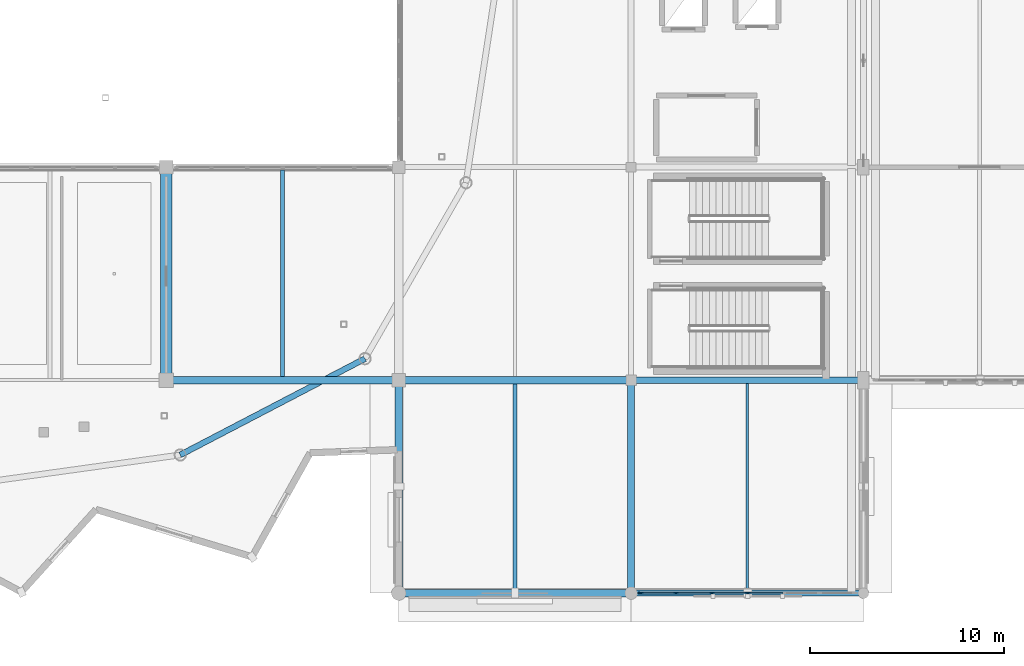
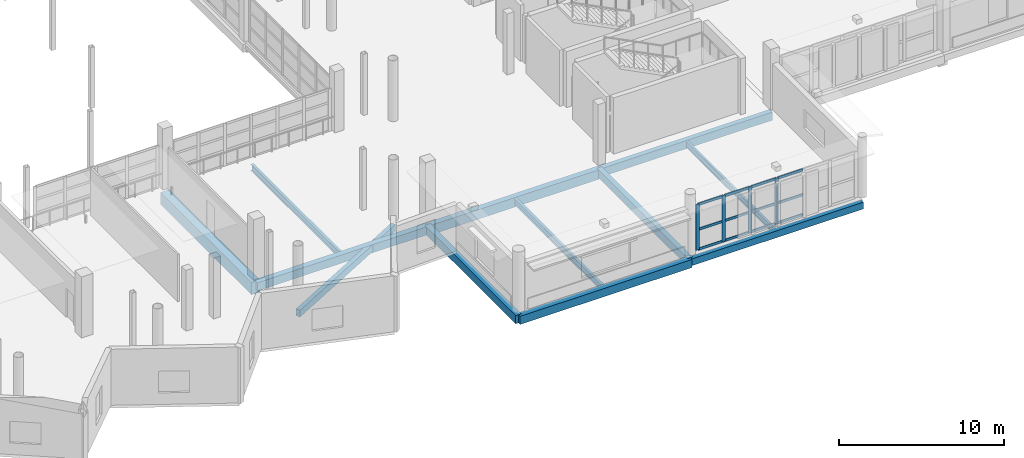
# One storey, part 50 of 118: 16 members, 12 beams, 1 element without a shape of its own.
"""IFC4 building model written with IfcOpenShell, lengths in metres."""

from ifc_helpers import new_model, si_unit, direction, frame, origin, origin_2d, place, context, subcontext, project, spatial, rectangle, hollow_rectangle, i_section, extrude, material, material_profile, profile_set, type_object, element, aggregate, save


model = new_model("IFC4")

# Units and contexts
model_context = context("Model", 3, precision=1e-05, world=origin(), true_north=direction((0.0, 1.0)))
body_context = subcontext(model_context, "Body", "Model", "MODEL_VIEW")
ifc_project = project(units=[si_unit("LENGTHUNIT", "METRE"), si_unit("AREAUNIT", "SQUARE_METRE"), si_unit("VOLUMEUNIT", "CUBIC_METRE"), si_unit("PLANEANGLEUNIT", "RADIAN"), si_unit("MASSUNIT", "GRAM", prefix="KILO")], contexts=[model_context])

# Site, building, storey
site_placement = place(None, origin())
site = spatial("IfcSite", under=ifc_project, at=site_placement, CompositionType="ELEMENT")
building_placement = place(site_placement, origin())
building = spatial("IfcBuilding", under=site, at=building_placement, Name="Luwafu Chhajja Arena", CompositionType="ELEMENT")
storey_placement = place(building_placement, frame((0.0, 0.0, 10.199951171875)))
storey = spatial("IfcBuildingStorey", under=building, at=storey_placement, Name="L02", CompositionType="ELEMENT", Elevation=10.199951171875)

# Beams
ifc_material_1 = material(Name="Concrete C35/45", Category="concrete")
ifc_material_profile_1 = material_profile(ifc_material_1, rectangle(XDim=0.35009765625, YDim=0.60009765625, at=origin_2d()), Name="RC 350x600")
ifc_profile_set_1 = profile_set([ifc_material_profile_1], Name="Concrete C35/45")
beam_type_1 = type_object("IfcBeamType", Name="Arcade Tie Beam RC 350x600", PredefinedType="BEAM", material=ifc_profile_set_1)
beam_1_placement = place(storey_placement, frame((152.0, 11.0, -0.68994140625), z_axis=(1.0, 0.0, 0.0), x_axis=(0.0, 1.0, 0.0)))
element("IfcBeam", 1, at=beam_1_placement, inside=storey, type_object=beam_type_1, Name="L02 Grid Beam 14-15/B", PredefinedType="BEAM", context=body_context, shape_type="SweptSolid", body=[
    extrude(rectangle(XDim=0.35009765625, YDim=0.60009765625, at=origin_2d()), origin(), (0.0, 0.0, 1.0), 12.0),
])
beam_2_placement = place(storey_placement, frame((152.0, 0.0, -0.68994140625), z_axis=(0.0, 1.0, 0.0), x_axis=(-1.0, 0.0, 0.0)))
element("IfcBeam", 2, at=beam_2_placement, inside=storey, type_object=beam_type_1, Name="L02 Grid Beam 14/A-B", PredefinedType="BEAM", context=body_context, shape_type="SweptSolid", body=[
    extrude(rectangle(XDim=0.35009765625, YDim=0.60009765625, at=origin_2d()), origin(), (0.0, 0.0, 1.0), 11.0),
])

# Curtain wall, members
ifc_material_2 = material(Name="Anodised bronze aluminium", Category="aluminium")
curtain_wall_type = type_object("IfcCurtainWallType", Name="Media Ribbon Curtain Wall", PredefinedType="USERDEFINED", material=ifc_material_2)
curtain_wall_placement = place(storey_placement, origin())
curtain_wall = element("IfcCurtainWall", 3, at=curtain_wall_placement, inside=storey, type_object=curtain_wall_type, Name="L02 Curtain Wall CWG-L02-H13_00", ObjectType="CURTAIN WALL", PredefinedType="USERDEFINED")
ifc_material_profile_2 = material_profile(ifc_material_2, rectangle(XDim=0.070068359375, YDim=0.239990234375, at=origin_2d()), Name="CWM 70x240")
ifc_profile_set_2 = profile_set([ifc_material_profile_2], Name="Anodised bronze aluminium")
member_type_1 = type_object("IfcMemberType", Name="Bronze Curtain Wall Mullion 70x240", PredefinedType="MULLION", material=ifc_profile_set_2)
member_1_placement = place(storey_placement, frame((152.5, 0.0, 0.030029296875), z_axis=(0.0, 0.0, 1.0), x_axis=(0.0, 1.0, 0.0)))
member_1 = element("IfcMember", 4, at=member_1_placement, type_object=member_type_1, Name="CW-03 mullion 1", PredefinedType="MULLION", context=body_context, shape_type="SweptSolid", body=[
    extrude(rectangle(XDim=0.070068359375, YDim=0.239990234375, at=origin_2d()), origin(), (0.0, 0.0, 1.0), 3.375),
])
member_2_placement = place(storey_placement, frame((154.318359375, 0.0, 0.030029296875), z_axis=(0.0, 0.0, 1.0), x_axis=(0.0, 1.0, 0.0)))
member_2 = element("IfcMember", 5, at=member_2_placement, type_object=member_type_1, Name="CW-03 mullion 2", PredefinedType="MULLION", context=body_context, shape_type="SweptSolid", body=[
    extrude(rectangle(XDim=0.070068359375, YDim=0.239990234375, at=origin_2d()), origin(), (0.0, 0.0, 1.0), 3.375),
])
member_3_placement = place(storey_placement, frame((156.171630859375, 0.0, 0.030029296875), z_axis=(0.0, 0.0, 1.0), x_axis=(0.0, 1.0, 0.0)))
member_3 = element("IfcMember", 6, at=member_3_placement, type_object=member_type_1, Name="CW-03 mullion 3", PredefinedType="MULLION", context=body_context, shape_type="SweptSolid", body=[
    extrude(rectangle(XDim=0.070068359375, YDim=0.239990234375, at=origin_2d()), origin(), (0.0, 0.0, 1.0), 3.375),
])
member_4_placement = place(storey_placement, frame((158.02490234375, 0.0, 0.030029296875), z_axis=(0.0, 0.0, 1.0), x_axis=(0.0, 1.0, 0.0)))
member_4 = element("IfcMember", 7, at=member_4_placement, type_object=member_type_1, Name="CW-03 mullion 4", PredefinedType="MULLION", context=body_context, shape_type="SweptSolid", body=[
    extrude(rectangle(XDim=0.070068359375, YDim=0.239990234375, at=origin_2d()), origin(), (0.0, 0.0, 1.0), 3.375),
])
ifc_material_profile_3 = material_profile(ifc_material_2, rectangle(XDim=0.070068359375, YDim=0.179931640625, at=origin_2d()), Name="CWT 70x180")
ifc_profile_set_3 = profile_set([ifc_material_profile_3], Name="Anodised bronze aluminium")
member_type_2 = type_object("IfcMemberType", Name="Bronze Curtain Wall Transom 70x180", PredefinedType="USERDEFINED", material=ifc_profile_set_3)
member_5_placement = place(storey_placement, frame((152.534912109375, 0.0, 0.06494140625), z_axis=(1.0, 0.0, 0.0), x_axis=(0.0, 1.0, 0.0)))
member_5 = element("IfcMember", 8, at=member_5_placement, type_object=member_type_2, Name="CW-03 transom 1.1", ObjectType="TRANSOM", PredefinedType="USERDEFINED", context=body_context, shape_type="SweptSolid", body=[
    extrude(rectangle(XDim=0.070068359375, YDim=0.179931640625, at=origin_2d()), origin(), (0.0, 0.0, 1.0), 1.74853515625),
])
member_6_placement = place(storey_placement, frame((152.534912109375, 0.0, 1.532470703125), z_axis=(1.0, 0.0, 0.0), x_axis=(0.0, 1.0, 0.0)))
member_6 = element("IfcMember", 9, at=member_6_placement, type_object=member_type_2, Name="CW-03 transom 1.2", ObjectType="TRANSOM", PredefinedType="USERDEFINED", context=body_context, shape_type="SweptSolid", body=[
    extrude(rectangle(XDim=0.070068359375, YDim=0.179931640625, at=origin_2d()), origin(), (0.0, 0.0, 1.0), 1.74853515625),
])
member_7_placement = place(storey_placement, frame((152.534912109375, 0.0, 3.3701171875), z_axis=(1.0, 0.0, 0.0), x_axis=(0.0, 1.0, 0.0)))
member_7 = element("IfcMember", 10, at=member_7_placement, type_object=member_type_2, Name="CW-03 transom 1.3", ObjectType="TRANSOM", PredefinedType="USERDEFINED", context=body_context, shape_type="SweptSolid", body=[
    extrude(rectangle(XDim=0.070068359375, YDim=0.179931640625, at=origin_2d()), origin(), (0.0, 0.0, 1.0), 1.74853515625),
])
member_8_placement = place(storey_placement, frame((154.353271484375, 0.0, 0.06494140625), z_axis=(1.0, 0.0, 0.0), x_axis=(0.0, 1.0, 0.0)))
member_8 = element("IfcMember", 11, at=member_8_placement, type_object=member_type_2, Name="CW-03 transom 2.1", ObjectType="TRANSOM", PredefinedType="USERDEFINED", context=body_context, shape_type="SweptSolid", body=[
    extrude(rectangle(XDim=0.070068359375, YDim=0.179931640625, at=origin_2d()), origin(), (0.0, 0.0, 1.0), 1.783447265625),
])
member_9_placement = place(storey_placement, frame((154.353271484375, 0.0, 1.532470703125), z_axis=(1.0, 0.0, 0.0), x_axis=(0.0, 1.0, 0.0)))
member_9 = element("IfcMember", 12, at=member_9_placement, type_object=member_type_2, Name="CW-03 transom 2.2", ObjectType="TRANSOM", PredefinedType="USERDEFINED", context=body_context, shape_type="SweptSolid", body=[
    extrude(rectangle(XDim=0.070068359375, YDim=0.179931640625, at=origin_2d()), origin(), (0.0, 0.0, 1.0), 1.783447265625),
])
member_10_placement = place(storey_placement, frame((154.353271484375, 0.0, 3.3701171875), z_axis=(1.0, 0.0, 0.0), x_axis=(0.0, 1.0, 0.0)))
member_10 = element("IfcMember", 13, at=member_10_placement, type_object=member_type_2, Name="CW-03 transom 2.3", ObjectType="TRANSOM", PredefinedType="USERDEFINED", context=body_context, shape_type="SweptSolid", body=[
    extrude(rectangle(XDim=0.070068359375, YDim=0.179931640625, at=origin_2d()), origin(), (0.0, 0.0, 1.0), 1.783447265625),
])
member_11_placement = place(storey_placement, frame((156.206787109375, 0.0, 0.06494140625), z_axis=(1.0, 0.0, 0.0), x_axis=(0.0, 1.0, 0.0)))
member_11 = element("IfcMember", 14, at=member_11_placement, type_object=member_type_2, Name="CW-03 transom 3.1", ObjectType="TRANSOM", PredefinedType="USERDEFINED", context=body_context, shape_type="SweptSolid", body=[
    extrude(rectangle(XDim=0.070068359375, YDim=0.179931640625, at=origin_2d()), origin(), (0.0, 0.0, 1.0), 1.783203125),
])
member_12_placement = place(storey_placement, frame((156.206787109375, 0.0, 1.532470703125), z_axis=(1.0, 0.0, 0.0), x_axis=(0.0, 1.0, 0.0)))
member_12 = element("IfcMember", 15, at=member_12_placement, type_object=member_type_2, Name="CW-03 transom 3.2", ObjectType="TRANSOM", PredefinedType="USERDEFINED", context=body_context, shape_type="SweptSolid", body=[
    extrude(rectangle(XDim=0.070068359375, YDim=0.179931640625, at=origin_2d()), origin(), (0.0, 0.0, 1.0), 1.783203125),
])
member_13_placement = place(storey_placement, frame((156.206787109375, 0.0, 3.3701171875), z_axis=(1.0, 0.0, 0.0), x_axis=(0.0, 1.0, 0.0)))
member_13 = element("IfcMember", 16, at=member_13_placement, type_object=member_type_2, Name="CW-03 transom 3.3", ObjectType="TRANSOM", PredefinedType="USERDEFINED", context=body_context, shape_type="SweptSolid", body=[
    extrude(rectangle(XDim=0.070068359375, YDim=0.179931640625, at=origin_2d()), origin(), (0.0, 0.0, 1.0), 1.783203125),
])
member_14_placement = place(storey_placement, frame((158.06005859375, 0.0, 0.06494140625), z_axis=(1.0, 0.0, 0.0), x_axis=(0.0, 1.0, 0.0)))
member_14 = element("IfcMember", 17, at=member_14_placement, type_object=member_type_2, Name="CW-03 transom 4.1", ObjectType="TRANSOM", PredefinedType="USERDEFINED", context=body_context, shape_type="SweptSolid", body=[
    extrude(rectangle(XDim=0.070068359375, YDim=0.179931640625, at=origin_2d()), origin(), (0.0, 0.0, 1.0), 1.783203125),
])
member_15_placement = place(storey_placement, frame((158.06005859375, 0.0, 1.532470703125), z_axis=(1.0, 0.0, 0.0), x_axis=(0.0, 1.0, 0.0)))
member_15 = element("IfcMember", 18, at=member_15_placement, type_object=member_type_2, Name="CW-03 transom 4.2", ObjectType="TRANSOM", PredefinedType="USERDEFINED", context=body_context, shape_type="SweptSolid", body=[
    extrude(rectangle(XDim=0.070068359375, YDim=0.179931640625, at=origin_2d()), origin(), (0.0, 0.0, 1.0), 1.783203125),
])
member_16_placement = place(storey_placement, frame((158.06005859375, 0.0, 3.3701171875), z_axis=(1.0, 0.0, 0.0), x_axis=(0.0, 1.0, 0.0)))
member_16 = element("IfcMember", 19, at=member_16_placement, type_object=member_type_2, Name="CW-03 transom 4.3", ObjectType="TRANSOM", PredefinedType="USERDEFINED", context=body_context, shape_type="SweptSolid", body=[
    extrude(rectangle(XDim=0.070068359375, YDim=0.179931640625, at=origin_2d()), origin(), (0.0, 0.0, 1.0), 1.783203125),
])
aggregate(curtain_wall, [member_1, member_2, member_3, member_4, member_5, member_6, member_7, member_8, member_9, member_10, member_11, member_12, member_13, member_14, member_15, member_16])

# Beams
ifc_material_profile_4 = material_profile(ifc_material_1, rectangle(XDim=0.60009765625, YDim=0.89990234375, at=origin_2d()), Name="RC 600x900")
ifc_profile_set_4 = profile_set([ifc_material_profile_4], Name="Concrete C35/45")
beam_type_2 = type_object("IfcBeamType", Name="Concourse Primary Girder RC 600x900", PredefinedType="BEAM", material=ifc_profile_set_4)
beam_3_placement = place(storey_placement, frame((128.0, 11.0, -0.83984375), z_axis=(0.0, 1.0, 0.0), x_axis=(-1.0, 0.0, 0.0)))
element("IfcBeam", 20, at=beam_3_placement, inside=storey, type_object=beam_type_2, Name="L02 Grid Beam 12/B-C", PredefinedType="BEAM", context=body_context, shape_type="SweptSolid", body=[
    extrude(rectangle(XDim=0.60009765625, YDim=0.89990234375, at=origin_2d()), origin(), (0.0, 0.0, 1.0), 11.0),
])
ifc_material_3 = material(Name="Steel S355", Category="steel")
ifc_material_profile_5 = material_profile(ifc_material_3, i_section(OverallWidth=0.15283203125, OverallDepth=0.45458984375, WebThickness=0.008056640625, FlangeThickness=0.01318359375, at=origin_2d()), Name="UB 457x152x60")
ifc_profile_set_5 = profile_set([ifc_material_profile_5], Name="Steel S355")
beam_type_3 = type_object("IfcBeamType", Name="Floor Joist UB 457x152x60", PredefinedType="JOIST", material=ifc_profile_set_5)
beam_4_placement = place(storey_placement, frame((158.0, 0.14990234375, -0.6171875), z_axis=(0.0, 1.0, 0.0), x_axis=(-1.0, 0.0, 0.0)))
element("IfcBeam", 21, at=beam_4_placement, inside=storey, type_object=beam_type_3, Name="L02 Secondary Joist 14-15/A", PredefinedType="JOIST", context=body_context, shape_type="SweptSolid", body=[
    extrude(i_section(OverallWidth=0.15283203125, OverallDepth=0.45458984375, WebThickness=0.008056640625, FlangeThickness=0.01318359375, at=origin_2d()), origin(), (0.0, 0.0, 1.0), 10.675048828125),
])
ifc_material_profile_6 = material_profile(ifc_material_3, i_section(OverallWidth=0.19140625, OverallDepth=0.4599609375, WebThickness=0.010009765625, FlangeThickness=0.01611328125, at=origin_2d()), Name="UB 457x191x82")
ifc_profile_set_6 = profile_set([ifc_material_profile_6], Name="Steel S355")
beam_type_4 = type_object("IfcBeamType", Name="Floor Joist UB 457x191x82", PredefinedType="JOIST", material=ifc_profile_set_6)
beam_5_placement = place(storey_placement, frame((134.0, 11.199951171875, -0.619873046875), z_axis=(0.0, 1.0, 0.0), x_axis=(-1.0, 0.0, 0.0)))
element("IfcBeam", 22, at=beam_5_placement, inside=storey, type_object=beam_type_4, Name="L02 Secondary Joist 12-13/B", PredefinedType="JOIST", context=body_context, shape_type="SweptSolid", body=[
    extrude(i_section(OverallWidth=0.19140625, OverallDepth=0.4599609375, WebThickness=0.010009765625, FlangeThickness=0.01611328125, at=origin_2d()), origin(), (0.0, 0.0, 1.0), 10.650146484375),
])
beam_6_placement = place(storey_placement, frame((146.0, 0.199951171875, -0.619873046875), z_axis=(0.0, 1.0, 0.0), x_axis=(-1.0, 0.0, 0.0)))
element("IfcBeam", 23, at=beam_6_placement, inside=storey, type_object=beam_type_4, Name="L02 Secondary Joist 13-14/A", PredefinedType="JOIST", context=body_context, shape_type="SweptSolid", body=[
    extrude(i_section(OverallWidth=0.19140625, OverallDepth=0.4599609375, WebThickness=0.010009765625, FlangeThickness=0.01611328125, at=origin_2d()), origin(), (0.0, 0.0, 1.0), 10.60009765625),
])
ifc_material_profile_7 = material_profile(ifc_material_3, hollow_rectangle(XDim=0.300048828125, YDim=0.5, WallThickness=0.02001953125, at=origin_2d()), Name="RHS 500x300x20")
ifc_profile_set_7 = profile_set([ifc_material_profile_7], Name="Steel S355")
beam_type_5 = type_object("IfcBeamType", Name="Pleated Drum Spandrel Beam RHS 500x300", PredefinedType="SPANDREL", material=ifc_profile_set_7)
beam_7_placement = place(storey_placement, frame((152.0, 0.0, -0.639892578125), z_axis=(1.0, 0.0, 0.0), x_axis=(0.0, 1.0, 0.0)))
element("IfcBeam", 24, at=beam_7_placement, inside=storey, type_object=beam_type_5, Name="L02 Grid Beam 14-15/A", PredefinedType="SPANDREL", context=body_context, shape_type="SweptSolid", body=[
    extrude(hollow_rectangle(XDim=0.300048828125, YDim=0.5, WallThickness=0.02001953125, at=origin_2d()), origin(), (0.0, 0.0, 1.0), 12.0),
])
beam_8_placement = place(storey_placement, frame((128.718017578125, 7.13720703125, -0.639892578125), z_axis=(0.886755170812, 0.462239404463, 0.0), x_axis=(-0.462239404463, 0.886755170812, 0.0)))
element("IfcBeam", 25, at=beam_8_placement, inside=storey, type_object=beam_type_5, Name="L02 Drum Ring Spandrel D28-D29", PredefinedType="SPANDREL", context=body_context, shape_type="SweptSolid", body=[
    extrude(hollow_rectangle(XDim=0.300048828125, YDim=0.5, WallThickness=0.02001953125, at=origin_2d()), origin(), (0.0, 0.0, 1.0), 10.756103515625),
])
ifc_material_profile_8 = material_profile(ifc_material_1, rectangle(XDim=0.39990234375, YDim=0.60009765625, at=origin_2d()), Name="RC 400x600")
ifc_profile_set_8 = profile_set([ifc_material_profile_8], Name="Concrete C35/45")
beam_type_6 = type_object("IfcBeamType", Name="Podium Perimeter Spandrel RC 400x600", PredefinedType="SPANDREL", material=ifc_profile_set_8)
for number, where, z_axis, x_axis, name in (
    (26, (128.0, 11.0, -0.68994140625), (1.0, 0.0, 0.0), (0.0, 1.0, 0.0), "L02 Grid Beam 12-13/B"),
    (27, (140.0, 0.0, -0.68994140625), (1.0, 0.0, 0.0), (0.0, 1.0, 0.0), "L02 Grid Beam 13-14/A"),
):
    element("IfcBeam", number, at=place(storey_placement, frame(where, z_axis=z_axis, x_axis=x_axis)), inside=storey, type_object=beam_type_6, Name=name, PredefinedType="SPANDREL", context=body_context, shape_type="SweptSolid", body=[
        extrude(rectangle(XDim=0.39990234375, YDim=0.60009765625, at=origin_2d()), origin(), (0.0, 0.0, 1.0), 12.0),
    ])
beam_9_placement = place(storey_placement, frame((140.0, 0.0, -0.68994140625), z_axis=(0.0, 1.0, 0.0), x_axis=(-1.0, 0.0, 0.0)))
element("IfcBeam", 28, at=beam_9_placement, inside=storey, type_object=beam_type_6, Name="L02 Grid Beam 13/A-B", PredefinedType="SPANDREL", context=body_context, shape_type="SweptSolid", body=[
    extrude(rectangle(XDim=0.39990234375, YDim=0.60009765625, at=origin_2d()), origin(), (0.0, 0.0, 1.0), 11.0),
])
ifc_material_profile_9 = material_profile(ifc_material_1, rectangle(XDim=0.39990234375, YDim=0.699951171875, at=origin_2d()), Name="RC 400x700")
ifc_profile_set_9 = profile_set([ifc_material_profile_9], Name="Concrete C35/45")
beam_type_7 = type_object("IfcBeamType", Name="Wing Frame Beam RC 400x700", PredefinedType="BEAM", material=ifc_profile_set_9)
beam_10_placement = place(storey_placement, frame((140.0, 11.0, -0.739990234375), z_axis=(1.0, 0.0, 0.0), x_axis=(0.0, 1.0, 0.0)))
element("IfcBeam", 29, at=beam_10_placement, inside=storey, type_object=beam_type_7, Name="L02 Grid Beam 13-14/B", PredefinedType="BEAM", context=body_context, shape_type="SweptSolid", body=[
    extrude(rectangle(XDim=0.39990234375, YDim=0.699951171875, at=origin_2d()), origin(), (0.0, 0.0, 1.0), 12.0),
])

save(model, "model.ifc")
